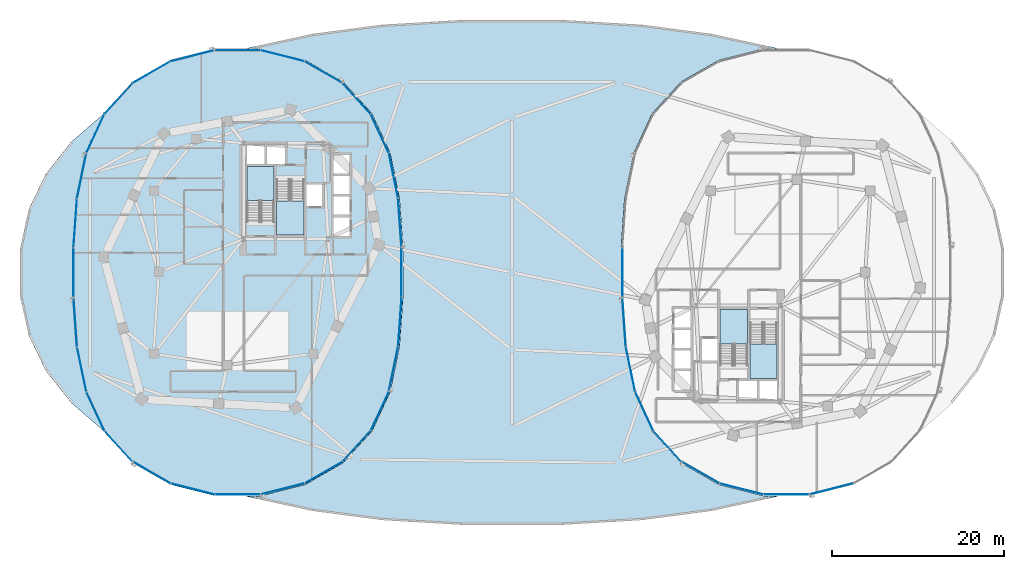
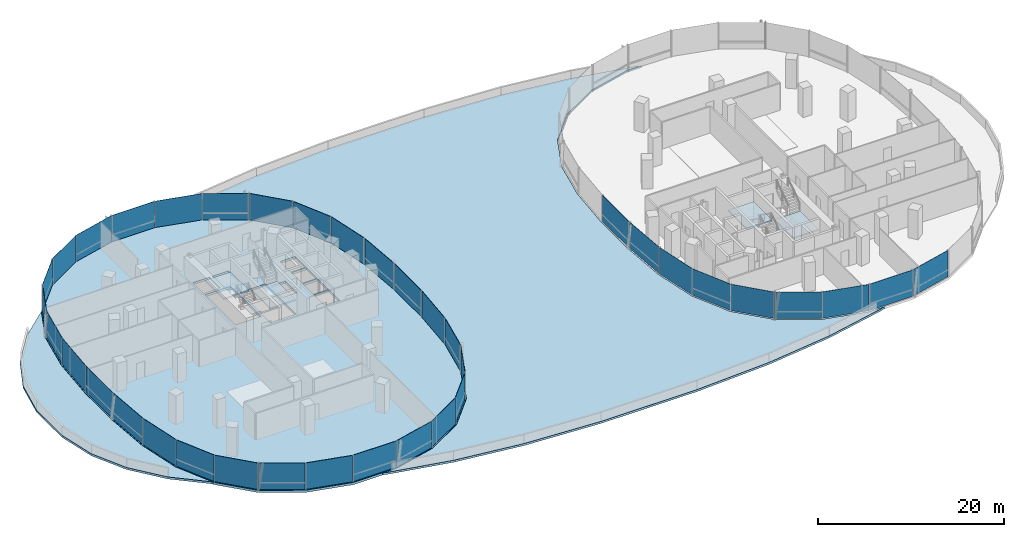
# One storey, part 16 of 28: 37 plates, 7 slabs, 11 elements without a shape of their own.
"""IFC4 building model written with IfcOpenShell, lengths in metres."""

from ifc_helpers import new_model, si_unit, direction, frame, origin, origin_2d, place, context, subcontext, project, spatial, polyline, rectangle, outline, extrude, material, layer, layer_set, type_object, element, aggregate, save


model = new_model("IFC4")

# Units and contexts
model_context = context("Model", 3, precision=1e-05, world=origin(), true_north=direction((0.0, 1.0)))
body_context = subcontext(model_context, "Body", "Model", "MODEL_VIEW")
ifc_project = project(units=[si_unit("LENGTHUNIT", "METRE"), si_unit("AREAUNIT", "SQUARE_METRE"), si_unit("VOLUMEUNIT", "CUBIC_METRE"), si_unit("PLANEANGLEUNIT", "RADIAN"), si_unit("MASSUNIT", "GRAM", prefix="KILO"), si_unit("THERMODYNAMICTEMPERATUREUNIT", "KELVIN"), si_unit("POWERUNIT", "WATT")], contexts=[model_context])

# Site, building, storey
site_placement = place(None, origin())
site = spatial("IfcSite", under=ifc_project, at=site_placement, CompositionType="ELEMENT")
building_placement = place(site_placement, origin())
building = spatial("IfcBuilding", under=site, at=building_placement, Name="Cundina Bronze Exchange", CompositionType="ELEMENT")
storey_placement = place(building_placement, frame((0.0, 0.0, 24.0)))
storey = spatial("IfcBuildingStorey", under=building, at=storey_placement, Name="L05", CompositionType="ELEMENT", Elevation=24.0)

# Curtain wall, plates
ifc_material_1 = material(Name="Anodised Bronze Aluminium 6063-T6", Category="aluminium")
curtain_wall_type = type_object("IfcCurtainWallType", Name="CWS-TRD-LOW", PredefinedType="NOTDEFINED", material=ifc_material_1)
curtain_wall_1_placement = place(storey_placement, origin())
curtain_wall_1 = element("IfcCurtainWall", 1, at=curtain_wall_1_placement, inside=storey, type_object=curtain_wall_type, Name="L05 CW-02 Curtain Wall Run CWR-L05-W1", PredefinedType="NOTDEFINED")
ifc_material_2 = material(Name="Heat-Strengthened Solar-Control Bronze Safety Glass 28mm", Category="glass")
ifc_layer_1 = layer(ifc_material_2, 0.028076171875, Name="Heat-Strengthened Solar-Control Bronze Safety Glass 28mm", Category="glass")
ifc_layer_set_1 = layer_set([ifc_layer_1], Name="Heat-Strengthened Solar-Control Bronze Safety Glass 28mm")
plate_type_1 = type_object("IfcPlateType", Name="PLT-GLZ-VIS28", PredefinedType="CURTAIN_PANEL", material=ifc_layer_set_1)
plate_1_placement = place(storey_placement, frame((-13.0732421875, 5.783935546875, 0.02001953125), z_axis=(0.0, 0.0, 1.0), x_axis=(-0.070278787473, 0.997527389113, 0.0)))
plate_1 = element("IfcPlate", 2, at=plate_1_placement, type_object=plate_type_1, Name="CW-02 Glazed Panel 1", PredefinedType="CURTAIN_PANEL", context=body_context, shape_type="SweptSolid", body=[
    extrude(rectangle(XDim=5.644287109375, YDim=0.028076171875, at=origin_2d()), origin(), (0.0, 0.0, 1.0), 3.4599609375),
])
plate_2_placement = place(storey_placement, frame((-13.81591796875, 11.269775390625, 0.02001953125), z_axis=(0.0, 0.0, 1.0), x_axis=(-0.201419845156, 0.979505000486, 0.0)))
plate_2 = element("IfcPlate", 3, at=plate_2_placement, type_object=plate_type_1, Name="CW-02 Glazed Panel 2", PredefinedType="CURTAIN_PANEL", context=body_context, shape_type="SweptSolid", body=[
    extrude(rectangle(XDim=5.306640625, YDim=0.028076171875, at=origin_2d()), origin(), (0.0, 0.0, 1.0), 3.4599609375),
])
plate_3_placement = place(storey_placement, frame((-15.413818359375, 16.177734375, 0.02001953125), z_axis=(0.0, 0.0, 1.0), x_axis=(-0.42084583328, 0.907132175932, 0.0)))
plate_3 = element("IfcPlate", 4, at=plate_3_placement, type_object=plate_type_1, Name="CW-02 Glazed Panel 3", PredefinedType="CURTAIN_PANEL", context=body_context, shape_type="SweptSolid", body=[
    extrude(rectangle(XDim=4.966552734375, YDim=0.028076171875, at=origin_2d()), origin(), (0.0, 0.0, 1.0), 3.4599609375),
])
plate_4_placement = place(storey_placement, frame((-18.1259765625, 20.267333984375, 0.02001953125), z_axis=(0.0, 0.0, 1.0), x_axis=(-0.674276610219, 0.73847887777, 0.0)))
plate_4 = element("IfcPlate", 5, at=plate_4_placement, type_object=plate_type_1, Name="CW-02 Glazed Panel 4", PredefinedType="CURTAIN_PANEL", context=body_context, shape_type="SweptSolid", body=[
    extrude(rectangle(XDim=4.86328125, YDim=0.028076171875, at=origin_2d()), origin(), (0.0, 0.0, 1.0), 3.4599609375),
])
plate_5_placement = place(storey_placement, frame((-26.744384765625, 25.256591796875, 0.02001953125), z_axis=(0.0, 0.0, 1.0), x_axis=(-0.969488149345, 0.245138182011, 0.0)))
plate_5 = element("IfcPlate", 6, at=plate_5_placement, type_object=plate_type_1, Name="CW-02 Glazed Panel 6", PredefinedType="CURTAIN_PANEL", context=body_context, shape_type="SweptSolid", body=[
    extrude(rectangle(XDim=5.2333984375, YDim=0.028076171875, at=origin_2d()), origin(), (0.0, 0.0, 1.0), 3.4599609375),
])
plate_6_placement = place(storey_placement, frame((-32.0, 25.905029296875, 0.02001953125), z_axis=(0.0, 0.0, 1.0), x_axis=(-1.0, 0.0, 0.0)))
plate_6 = element("IfcPlate", 7, at=plate_6_placement, type_object=plate_type_1, Name="CW-02 Glazed Panel 7", PredefinedType="CURTAIN_PANEL", context=body_context, shape_type="SweptSolid", body=[
    extrude(rectangle(XDim=5.323974609375, YDim=0.028076171875, at=origin_2d()), origin(), (0.0, 0.0, 1.0), 3.4599609375),
])

curtain_wall_2_placement = place(storey_placement, origin())
curtain_wall_2 = element("IfcCurtainWall", 8, at=curtain_wall_2_placement, inside=storey, type_object=curtain_wall_type, Name="L05 CW-02 Curtain Wall Run CWR-L05-W2", PredefinedType="NOTDEFINED")
plate_7_placement = place(storey_placement, frame((-37.255615234375, 25.256591796875, 0.02001953125), z_axis=(0.0, 0.0, 1.0), x_axis=(-0.969488149345, -0.245138182011, 0.0)))
plate_7 = element("IfcPlate", 9, at=plate_7_placement, type_object=plate_type_1, Name="CW-02 Glazed Panel 1", PredefinedType="CURTAIN_PANEL", context=body_context, shape_type="SweptSolid", body=[
    extrude(rectangle(XDim=5.2333984375, YDim=0.028076171875, at=origin_2d()), origin(), (0.0, 0.0, 1.0), 3.4599609375),
])
plate_8_placement = place(storey_placement, frame((-42.019287109375, 23.34423828125, 0.02001953125), z_axis=(0.0, 0.0, 1.0), x_axis=(-0.867105478933, -0.498124571171, 0.0)))
plate_8 = element("IfcPlate", 10, at=plate_8_placement, type_object=plate_type_1, Name="CW-02 Glazed Panel 2", PredefinedType="CURTAIN_PANEL", context=body_context, shape_type="SweptSolid", body=[
    extrude(rectangle(XDim=5.021240234375, YDim=0.028076171875, at=origin_2d()), origin(), (0.0, 0.0, 1.0), 3.4599609375),
])
plate_9_placement = place(storey_placement, frame((-45.8740234375, 20.267333984375, 0.02001953125), z_axis=(0.0, 0.0, 1.0), x_axis=(-0.674276610219, -0.73847887777, 0.0)))
plate_9 = element("IfcPlate", 11, at=plate_9_placement, type_object=plate_type_1, Name="CW-02 Glazed Panel 3", PredefinedType="CURTAIN_PANEL", context=body_context, shape_type="SweptSolid", body=[
    extrude(rectangle(XDim=4.86328125, YDim=0.028076171875, at=origin_2d()), origin(), (0.0, 0.0, 1.0), 3.4599609375),
])
plate_10_placement = place(storey_placement, frame((-50.18408203125, 11.269775390625, 0.02001953125), z_axis=(0.0, 0.0, 1.0), x_axis=(-0.201419845156, -0.979505000486, 0.0)))
plate_10 = element("IfcPlate", 12, at=plate_10_placement, type_object=plate_type_1, Name="CW-02 Glazed Panel 5", PredefinedType="CURTAIN_PANEL", context=body_context, shape_type="SweptSolid", body=[
    extrude(rectangle(XDim=5.306640625, YDim=0.028076171875, at=origin_2d()), origin(), (0.0, 0.0, 1.0), 3.4599609375),
])
plate_11_placement = place(storey_placement, frame((-50.9267578125, 5.783935546875, 0.02001953125), z_axis=(0.0, 0.0, 1.0), x_axis=(-0.070278787473, -0.997527389113, 0.0)))
plate_11 = element("IfcPlate", 13, at=plate_11_placement, type_object=plate_type_1, Name="CW-02 Glazed Panel 6", PredefinedType="CURTAIN_PANEL", context=body_context, shape_type="SweptSolid", body=[
    extrude(rectangle(XDim=5.644287109375, YDim=0.028076171875, at=origin_2d()), origin(), (0.0, 0.0, 1.0), 3.4599609375),
])
plate_12_placement = place(storey_placement, frame((-51.1279296875, 0.0, 0.02001953125), z_axis=(0.0, 0.0, 1.0), x_axis=(0.0, -1.0, 0.0)))
plate_12 = element("IfcPlate", 14, at=plate_12_placement, type_object=plate_type_1, Name="CW-02 Glazed Panel 7", PredefinedType="CURTAIN_PANEL", context=body_context, shape_type="SweptSolid", body=[
    extrude(rectangle(XDim=5.77587890625, YDim=0.028076171875, at=origin_2d()), origin(), (0.0, 0.0, 1.0), 3.4599609375),
])

curtain_wall_3_placement = place(storey_placement, origin())
curtain_wall_3 = element("IfcCurtainWall", 15, at=curtain_wall_3_placement, inside=storey, type_object=curtain_wall_type, Name="L05 CW-02 Curtain Wall Run CWR-L05-W3", PredefinedType="NOTDEFINED")
plate_13_placement = place(storey_placement, frame((-50.9267578125, -5.783935546875, 0.02001953125), z_axis=(0.0, 0.0, 1.0), x_axis=(0.070278787473, -0.997527389113, 0.0)))
plate_13 = element("IfcPlate", 16, at=plate_13_placement, type_object=plate_type_1, Name="CW-02 Glazed Panel 1", PredefinedType="CURTAIN_PANEL", context=body_context, shape_type="SweptSolid", body=[
    extrude(rectangle(XDim=5.644287109375, YDim=0.028076171875, at=origin_2d()), origin(), (0.0, 0.0, 1.0), 3.4599609375),
])
plate_14_placement = place(storey_placement, frame((-50.18408203125, -11.269775390625, 0.02001953125), z_axis=(0.0, 0.0, 1.0), x_axis=(0.201419845156, -0.979505000486, 0.0)))
plate_14 = element("IfcPlate", 17, at=plate_14_placement, type_object=plate_type_1, Name="CW-02 Glazed Panel 2", PredefinedType="CURTAIN_PANEL", context=body_context, shape_type="SweptSolid", body=[
    extrude(rectangle(XDim=5.306640625, YDim=0.028076171875, at=origin_2d()), origin(), (0.0, 0.0, 1.0), 3.4599609375),
])
plate_15_placement = place(storey_placement, frame((-45.8740234375, -20.267333984375, 0.02001953125), z_axis=(0.0, 0.0, 1.0), x_axis=(0.674276610219, -0.73847887777, 0.0)))
plate_15 = element("IfcPlate", 18, at=plate_15_placement, type_object=plate_type_1, Name="CW-02 Glazed Panel 4", PredefinedType="CURTAIN_PANEL", context=body_context, shape_type="SweptSolid", body=[
    extrude(rectangle(XDim=4.86328125, YDim=0.028076171875, at=origin_2d()), origin(), (0.0, 0.0, 1.0), 3.4599609375),
])
plate_16_placement = place(storey_placement, frame((-42.019287109375, -23.34423828125, 0.02001953125), z_axis=(0.0, 0.0, 1.0), x_axis=(0.867105478933, -0.498124571171, 0.0)))
plate_16 = element("IfcPlate", 19, at=plate_16_placement, type_object=plate_type_1, Name="CW-02 Glazed Panel 5", PredefinedType="CURTAIN_PANEL", context=body_context, shape_type="SweptSolid", body=[
    extrude(rectangle(XDim=5.021240234375, YDim=0.028076171875, at=origin_2d()), origin(), (0.0, 0.0, 1.0), 3.4599609375),
])
plate_17_placement = place(storey_placement, frame((-37.255615234375, -25.256591796875, 0.02001953125), z_axis=(0.0, 0.0, 1.0), x_axis=(0.969488149345, -0.245138182011, 0.0)))
plate_17 = element("IfcPlate", 20, at=plate_17_placement, type_object=plate_type_1, Name="CW-02 Glazed Panel 6", PredefinedType="CURTAIN_PANEL", context=body_context, shape_type="SweptSolid", body=[
    extrude(rectangle(XDim=5.2333984375, YDim=0.028076171875, at=origin_2d()), origin(), (0.0, 0.0, 1.0), 3.4599609375),
])
plate_18_placement = place(storey_placement, frame((-32.0, -25.905029296875, 0.02001953125), z_axis=(0.0, 0.0, 1.0), x_axis=(1.0, 0.0, 0.0)))
plate_18 = element("IfcPlate", 21, at=plate_18_placement, type_object=plate_type_1, Name="CW-02 Glazed Panel 7", PredefinedType="CURTAIN_PANEL", context=body_context, shape_type="SweptSolid", body=[
    extrude(rectangle(XDim=5.323974609375, YDim=0.028076171875, at=origin_2d()), origin(), (0.0, 0.0, 1.0), 3.4599609375),
])

curtain_wall_4_placement = place(storey_placement, origin())
curtain_wall_4 = element("IfcCurtainWall", 22, at=curtain_wall_4_placement, inside=storey, type_object=curtain_wall_type, Name="L05 CW-02 Curtain Wall Run CWR-L05-W4", PredefinedType="NOTDEFINED")
plate_19_placement = place(storey_placement, frame((-26.744384765625, -25.256591796875, 0.02001953125), z_axis=(0.0, 0.0, 1.0), x_axis=(0.969488149345, 0.245138182011, 0.0)))
plate_19 = element("IfcPlate", 23, at=plate_19_placement, type_object=plate_type_1, Name="CW-02 Glazed Panel 1", PredefinedType="CURTAIN_PANEL", context=body_context, shape_type="SweptSolid", body=[
    extrude(rectangle(XDim=5.2333984375, YDim=0.028076171875, at=origin_2d()), origin(), (0.0, 0.0, 1.0), 3.4599609375),
])
plate_20_placement = place(storey_placement, frame((-18.1259765625, -20.267333984375, 0.02001953125), z_axis=(0.0, 0.0, 1.0), x_axis=(0.674276610219, 0.73847887777, 0.0)))
plate_20 = element("IfcPlate", 24, at=plate_20_placement, type_object=plate_type_1, Name="CW-02 Glazed Panel 3", PredefinedType="CURTAIN_PANEL", context=body_context, shape_type="SweptSolid", body=[
    extrude(rectangle(XDim=4.86328125, YDim=0.028076171875, at=origin_2d()), origin(), (0.0, 0.0, 1.0), 3.4599609375),
])
plate_21_placement = place(storey_placement, frame((-15.413818359375, -16.177734375, 0.02001953125), z_axis=(0.0, 0.0, 1.0), x_axis=(0.42084583328, 0.907132175932, 0.0)))
plate_21 = element("IfcPlate", 25, at=plate_21_placement, type_object=plate_type_1, Name="CW-02 Glazed Panel 4", PredefinedType="CURTAIN_PANEL", context=body_context, shape_type="SweptSolid", body=[
    extrude(rectangle(XDim=4.966552734375, YDim=0.028076171875, at=origin_2d()), origin(), (0.0, 0.0, 1.0), 3.4599609375),
])
plate_22_placement = place(storey_placement, frame((-13.81591796875, -11.269775390625, 0.02001953125), z_axis=(0.0, 0.0, 1.0), x_axis=(0.201419845156, 0.979505000486, 0.0)))
plate_22 = element("IfcPlate", 26, at=plate_22_placement, type_object=plate_type_1, Name="CW-02 Glazed Panel 5", PredefinedType="CURTAIN_PANEL", context=body_context, shape_type="SweptSolid", body=[
    extrude(rectangle(XDim=5.306640625, YDim=0.028076171875, at=origin_2d()), origin(), (0.0, 0.0, 1.0), 3.4599609375),
])
plate_23_placement = place(storey_placement, frame((-13.0732421875, -5.783935546875, 0.02001953125), z_axis=(0.0, 0.0, 1.0), x_axis=(0.070278787473, 0.997527389113, 0.0)))
plate_23 = element("IfcPlate", 27, at=plate_23_placement, type_object=plate_type_1, Name="CW-02 Glazed Panel 6", PredefinedType="CURTAIN_PANEL", context=body_context, shape_type="SweptSolid", body=[
    extrude(rectangle(XDim=5.644287109375, YDim=0.028076171875, at=origin_2d()), origin(), (0.0, 0.0, 1.0), 3.4599609375),
])

# Curtain wall, plate
curtain_wall_5_placement = place(storey_placement, origin())
curtain_wall_5 = element("IfcCurtainWall", 28, at=curtain_wall_5_placement, inside=storey, type_object=curtain_wall_type, Name="L05 CW-02 Curtain Wall Run CWR-L05-E2", PredefinedType="NOTDEFINED")
plate_24_placement = place(storey_placement, frame((12.8720703125, 0.0, 0.02001953125), z_axis=(0.0, 0.0, 1.0), x_axis=(0.0, -1.0, 0.0)))
plate_24 = element("IfcPlate", 29, at=plate_24_placement, type_object=plate_type_1, Name="CW-02 Glazed Panel 7", PredefinedType="CURTAIN_PANEL", context=body_context, shape_type="SweptSolid", body=[
    extrude(rectangle(XDim=5.77587890625, YDim=0.028076171875, at=origin_2d()), origin(), (0.0, 0.0, 1.0), 3.4599609375),
])
aggregate(curtain_wall_5, [plate_24])

# Curtain wall, plates
curtain_wall_6_placement = place(storey_placement, origin())
curtain_wall_6 = element("IfcCurtainWall", 30, at=curtain_wall_6_placement, inside=storey, type_object=curtain_wall_type, Name="L05 CW-02 Curtain Wall Run CWR-L05-E3", PredefinedType="NOTDEFINED")
plate_25_placement = place(storey_placement, frame((13.0732421875, -5.783935546875, 0.02001953125), z_axis=(0.0, 0.0, 1.0), x_axis=(0.070278787473, -0.997527389113, 0.0)))
plate_25 = element("IfcPlate", 31, at=plate_25_placement, type_object=plate_type_1, Name="CW-02 Glazed Panel 1", PredefinedType="CURTAIN_PANEL", context=body_context, shape_type="SweptSolid", body=[
    extrude(rectangle(XDim=5.644287109375, YDim=0.028076171875, at=origin_2d()), origin(), (0.0, 0.0, 1.0), 3.4599609375),
])
plate_26_placement = place(storey_placement, frame((13.81591796875, -11.269775390625, 0.02001953125), z_axis=(0.0, 0.0, 1.0), x_axis=(0.201419845156, -0.979505000486, 0.0)))
plate_26 = element("IfcPlate", 32, at=plate_26_placement, type_object=plate_type_1, Name="CW-02 Glazed Panel 2", PredefinedType="CURTAIN_PANEL", context=body_context, shape_type="SweptSolid", body=[
    extrude(rectangle(XDim=5.306640625, YDim=0.028076171875, at=origin_2d()), origin(), (0.0, 0.0, 1.0), 3.4599609375),
])
plate_27_placement = place(storey_placement, frame((18.1259765625, -20.267333984375, 0.02001953125), z_axis=(0.0, 0.0, 1.0), x_axis=(0.674276610219, -0.73847887777, 0.0)))
plate_27 = element("IfcPlate", 33, at=plate_27_placement, type_object=plate_type_1, Name="CW-02 Glazed Panel 4", PredefinedType="CURTAIN_PANEL", context=body_context, shape_type="SweptSolid", body=[
    extrude(rectangle(XDim=4.86328125, YDim=0.028076171875, at=origin_2d()), origin(), (0.0, 0.0, 1.0), 3.4599609375),
])
plate_28_placement = place(storey_placement, frame((21.980712890625, -23.34423828125, 0.02001953125), z_axis=(0.0, 0.0, 1.0), x_axis=(0.867105478933, -0.498124571171, 0.0)))
plate_28 = element("IfcPlate", 34, at=plate_28_placement, type_object=plate_type_1, Name="CW-02 Glazed Panel 5", PredefinedType="CURTAIN_PANEL", context=body_context, shape_type="SweptSolid", body=[
    extrude(rectangle(XDim=5.021240234375, YDim=0.028076171875, at=origin_2d()), origin(), (0.0, 0.0, 1.0), 3.4599609375),
])
plate_29_placement = place(storey_placement, frame((26.744384765625, -25.256591796875, 0.02001953125), z_axis=(0.0, 0.0, 1.0), x_axis=(0.969488149345, -0.245138182011, 0.0)))
plate_29 = element("IfcPlate", 35, at=plate_29_placement, type_object=plate_type_1, Name="CW-02 Glazed Panel 6", PredefinedType="CURTAIN_PANEL", context=body_context, shape_type="SweptSolid", body=[
    extrude(rectangle(XDim=5.2333984375, YDim=0.028076171875, at=origin_2d()), origin(), (0.0, 0.0, 1.0), 3.4599609375),
])
plate_30_placement = place(storey_placement, frame((32.0, -25.905029296875, 0.02001953125), z_axis=(0.0, 0.0, 1.0), x_axis=(1.0, 0.0, 0.0)))
plate_30 = element("IfcPlate", 36, at=plate_30_placement, type_object=plate_type_1, Name="CW-02 Glazed Panel 7", PredefinedType="CURTAIN_PANEL", context=body_context, shape_type="SweptSolid", body=[
    extrude(rectangle(XDim=5.323974609375, YDim=0.028076171875, at=origin_2d()), origin(), (0.0, 0.0, 1.0), 3.4599609375),
])

# Curtain wall, plate
curtain_wall_7_placement = place(storey_placement, origin())
curtain_wall_7 = element("IfcCurtainWall", 37, at=curtain_wall_7_placement, inside=storey, type_object=curtain_wall_type, Name="L05 CW-02 Curtain Wall Run CWR-L05-E4", PredefinedType="NOTDEFINED")
plate_31_placement = place(storey_placement, frame((37.255615234375, -25.256591796875, 0.02001953125), z_axis=(0.0, 0.0, 1.0), x_axis=(0.969488149345, 0.245138182011, 0.0)))
plate_31 = element("IfcPlate", 38, at=plate_31_placement, type_object=plate_type_1, Name="CW-02 Glazed Panel 1", PredefinedType="CURTAIN_PANEL", context=body_context, shape_type="SweptSolid", body=[
    extrude(rectangle(XDim=5.2333984375, YDim=0.028076171875, at=origin_2d()), origin(), (0.0, 0.0, 1.0), 3.4599609375),
])
aggregate(curtain_wall_7, [plate_31])

# Plate
ifc_material_3 = material(Name="Dark Bronze Spandrel Glass Panel 32mm", Category="glass")
ifc_layer_2 = layer(ifc_material_3, 0.031982421875, Name="Dark Bronze Spandrel Glass Panel 32mm", Category="glass")
ifc_layer_set_2 = layer_set([ifc_layer_2], Name="Dark Bronze Spandrel Glass Panel 32mm")
plate_type_2 = type_object("IfcPlateType", Name="PLT-SPN-BRZ32", PredefinedType="CURTAIN_PANEL", material=ifc_layer_set_2)
plate_32_placement = place(storey_placement, frame((-21.980712890625, 23.34423828125, 0.02001953125), z_axis=(0.0, 0.0, 1.0), x_axis=(-0.867105478933, 0.498124571171, 0.0)))
plate_32 = element("IfcPlate", 39, at=plate_32_placement, type_object=plate_type_2, Name="CW-02 Glazed Panel 5", PredefinedType="CURTAIN_PANEL", context=body_context, shape_type="SweptSolid", body=[
    extrude(rectangle(XDim=5.021240234375, YDim=0.031982421875, at=origin_2d()), origin(), (0.0, 0.0, 1.0), 3.4599609375),
])

aggregate(curtain_wall_1, [plate_1, plate_2, plate_3, plate_4, plate_32, plate_5, plate_6])

plate_33_placement = place(storey_placement, frame((-48.586181640625, 16.177734375, 0.02001953125), z_axis=(0.0, 0.0, 1.0), x_axis=(-0.42084583328, -0.907132175932, 0.0)))
plate_33 = element("IfcPlate", 40, at=plate_33_placement, type_object=plate_type_2, Name="CW-02 Glazed Panel 4", PredefinedType="CURTAIN_PANEL", context=body_context, shape_type="SweptSolid", body=[
    extrude(rectangle(XDim=4.966552734375, YDim=0.031982421875, at=origin_2d()), origin(), (0.0, 0.0, 1.0), 3.4599609375),
])

aggregate(curtain_wall_2, [plate_7, plate_8, plate_9, plate_33, plate_10, plate_11, plate_12])

plate_34_placement = place(storey_placement, frame((-48.586181640625, -16.177734375, 0.02001953125), z_axis=(0.0, 0.0, 1.0), x_axis=(0.42084583328, -0.907132175932, 0.0)))
plate_34 = element("IfcPlate", 41, at=plate_34_placement, type_object=plate_type_2, Name="CW-02 Glazed Panel 3", PredefinedType="CURTAIN_PANEL", context=body_context, shape_type="SweptSolid", body=[
    extrude(rectangle(XDim=4.966552734375, YDim=0.031982421875, at=origin_2d()), origin(), (0.0, 0.0, 1.0), 3.4599609375),
])

aggregate(curtain_wall_3, [plate_13, plate_14, plate_34, plate_15, plate_16, plate_17, plate_18])

plate_35_placement = place(storey_placement, frame((-21.980712890625, -23.34423828125, 0.02001953125), z_axis=(0.0, 0.0, 1.0), x_axis=(0.867105478933, 0.498124571171, 0.0)))
plate_35 = element("IfcPlate", 42, at=plate_35_placement, type_object=plate_type_2, Name="CW-02 Glazed Panel 2", PredefinedType="CURTAIN_PANEL", context=body_context, shape_type="SweptSolid", body=[
    extrude(rectangle(XDim=5.021240234375, YDim=0.031982421875, at=origin_2d()), origin(), (0.0, 0.0, 1.0), 3.4599609375),
])

plate_36_placement = place(storey_placement, frame((-12.8720703125, 0.0, 0.02001953125), z_axis=(0.0, 0.0, 1.0), x_axis=(0.0, 1.0, 0.0)))
plate_36 = element("IfcPlate", 43, at=plate_36_placement, type_object=plate_type_2, Name="CW-02 Glazed Panel 7", PredefinedType="CURTAIN_PANEL", context=body_context, shape_type="SweptSolid", body=[
    extrude(rectangle(XDim=5.77587890625, YDim=0.031982421875, at=origin_2d()), origin(), (0.0, 0.0, 1.0), 3.4599609375),
])

aggregate(curtain_wall_4, [plate_19, plate_35, plate_20, plate_21, plate_22, plate_23, plate_36])

plate_37_placement = place(storey_placement, frame((15.413818359375, -16.177734375, 0.02001953125), z_axis=(0.0, 0.0, 1.0), x_axis=(0.42084583328, -0.907132175932, 0.0)))
plate_37 = element("IfcPlate", 44, at=plate_37_placement, type_object=plate_type_2, Name="CW-02 Glazed Panel 3", PredefinedType="CURTAIN_PANEL", context=body_context, shape_type="SweptSolid", body=[
    extrude(rectangle(XDim=4.966552734375, YDim=0.031982421875, at=origin_2d()), origin(), (0.0, 0.0, 1.0), 3.4599609375),
])

aggregate(curtain_wall_6, [plate_25, plate_26, plate_37, plate_27, plate_28, plate_29, plate_30])

# Stair, slab
ifc_material_4 = material(Name="Concrete C40/50", Category="concrete")
stair_type = type_object("IfcStairType", Name="STR-TRD-380", PredefinedType="HALF_TURN_STAIR", material=ifc_material_4)
stair_1_placement = place(storey_placement, origin())
stair_1 = element("IfcStair", 45, at=stair_1_placement, inside=storey, type_object=stair_type, Name="L05 Smokeproof Exit Stair W1", PredefinedType="HALF_TURN_STAIR")
ifc_layer_3 = layer(ifc_material_4, 0.199951171875, Name="Concrete C40/50", Category="concrete")
ifc_layer_set_3 = layer_set([ifc_layer_3], Name="Concrete C40/50")
slab_type_1 = type_object("IfcSlabType", Name="SLB-LND-200", PredefinedType="LANDING", material=ifc_layer_set_3)
slab_1_placement = place(storey_placement, frame((0.0, 0.0, 1.699951171875)))
slab_1 = element("IfcSlab", 46, at=slab_1_placement, type_object=slab_type_1, Name="ST-W1 landing 1", PredefinedType="LANDING", context=body_context, shape_type="SweptSolid", body=[
    extrude(outline(polyline([(-27.739990234375, 8.3701171875), (-27.739990234375, 12.35009765625), (-30.89990234375, 12.35009765625), (-30.89990234375, 8.3701171875), (-27.739990234375, 8.3701171875)])), origin(), (0.0, 0.0, 1.0), 0.199951171875),
])
aggregate(stair_1, [slab_1])

stair_2_placement = place(storey_placement, origin())
stair_2 = element("IfcStair", 47, at=stair_2_placement, inside=storey, type_object=stair_type, Name="L05 Smokeproof Exit Stair W2", PredefinedType="HALF_TURN_STAIR")
slab_2_placement = place(storey_placement, frame((0.0, 0.0, 1.699951171875)))
slab_2 = element("IfcSlab", 48, at=slab_2_placement, type_object=slab_type_1, Name="ST-W2 landing 1", PredefinedType="LANDING", context=body_context, shape_type="SweptSolid", body=[
    extrude(outline(polyline([(-27.43994140625, 8.330078125), (-27.43994140625, 4.35009765625), (-24.280029296875, 4.35009765625), (-24.280029296875, 8.330078125), (-27.43994140625, 8.330078125)])), origin(), (0.0, 0.0, 1.0), 0.199951171875),
])
aggregate(stair_2, [slab_2])

stair_3_placement = place(storey_placement, origin())
stair_3 = element("IfcStair", 49, at=stair_3_placement, inside=storey, type_object=stair_type, Name="L05 Smokeproof Exit Stair E1", PredefinedType="HALF_TURN_STAIR")
slab_3_placement = place(storey_placement, frame((0.0, 0.0, 1.699951171875)))
slab_3 = element("IfcSlab", 50, at=slab_3_placement, type_object=slab_type_1, Name="ST-E1 landing 1", PredefinedType="LANDING", context=body_context, shape_type="SweptSolid", body=[
    extrude(outline(polyline([(27.739990234375, -8.3701171875), (27.739990234375, -12.35009765625), (30.89990234375, -12.35009765625), (30.89990234375, -8.3701171875), (27.739990234375, -8.3701171875)])), origin(), (0.0, 0.0, 1.0), 0.199951171875),
])
aggregate(stair_3, [slab_3])

stair_4_placement = place(storey_placement, origin())
stair_4 = element("IfcStair", 51, at=stair_4_placement, inside=storey, type_object=stair_type, Name="L05 Smokeproof Exit Stair E2", PredefinedType="HALF_TURN_STAIR")
slab_4_placement = place(storey_placement, frame((0.0, 0.0, 1.699951171875)))
slab_4 = element("IfcSlab", 52, at=slab_4_placement, type_object=slab_type_1, Name="ST-E2 landing 1", PredefinedType="LANDING", context=body_context, shape_type="SweptSolid", body=[
    extrude(outline(polyline([(27.43994140625, -8.330078125), (27.43994140625, -4.35009765625), (24.280029296875, -4.35009765625), (24.280029296875, -8.330078125), (27.43994140625, -8.330078125)])), origin(), (0.0, 0.0, 1.0), 0.199951171875),
])
aggregate(stair_4, [slab_4])

# Slabs
ifc_material_5 = material(Name="Concrete C50/60", Category="concrete")
ifc_layer_4 = layer(ifc_material_5, 0.27001953125, Name="Concrete C50/60", Category="concrete")
ifc_layer_set_4 = layer_set([ifc_layer_4], Name="Concrete C50/60")
slab_type_2 = type_object("IfcSlabType", Name="SLB-ROOF-270", PredefinedType="ROOF", material=ifc_layer_set_4)
slab_5_placement = place(storey_placement, frame((0.0, 0.0, -0.27001953125)))
element("IfcSlab", 53, at=slab_5_placement, inside=storey, type_object=slab_type_2, Name="L05 Central Podium Roof Slab 1", PredefinedType="ROOF", context=body_context, shape_type="SweptSolid", body=[
    extrude(outline(polyline([(-30.5458984375, 26.23193359375), (-23.281005859375, 27.821044921875), (-15.180908203125, 28.89306640625), (-5.93603515625, 29.431884765625), (5.93603515625, 29.431884765625), (15.180908203125, 28.89306640625), (23.281005859375, 27.821044921875), (30.5458984375, 26.23193359375), (31.111083984375, 26.050048828125), (29.29296875, 26.050048828125), (29.291748046875, 26.0498046875), (29.29052734375, 26.0498046875), (29.289306640625, 26.049560546875), (24.12841796875, 24.744384765625), (24.126953125, 24.744140625), (24.125732421875, 24.74365234375), (24.12451171875, 24.742919921875), (19.6923828125, 22.197021484375), (19.691162109375, 22.1962890625), (19.68994140625, 22.1953125), (19.68896484375, 22.194091796875), (16.348876953125, 18.5361328125), (16.347900390625, 18.534912109375), (16.34716796875, 18.53369140625), (16.346435546875, 18.5322265625), (14.218505859375, 13.9453125), (14.2177734375, 13.943603515625), (14.21728515625, 13.94189453125), (13.13037109375, 8.656005859375), (13.1298828125, 8.654052734375), (12.72705078125, 2.93408203125), (12.72705078125, 2.93310546875), (12.72705078125, -2.93310546875), (12.72705078125, -2.93408203125), (13.1298828125, -8.654052734375), (13.13037109375, -8.656005859375), (14.21728515625, -13.94189453125), (14.2177734375, -13.943603515625), (14.218505859375, -13.9453125), (16.346435546875, -18.5322265625), (16.34716796875, -18.53369140625), (16.347900390625, -18.534912109375), (16.348876953125, -18.5361328125), (19.68896484375, -22.194091796875), (19.68994140625, -22.1953125), (19.691162109375, -22.1962890625), (19.6923828125, -22.197021484375), (24.12451171875, -24.742919921875), (24.125732421875, -24.74365234375), (24.126953125, -24.744140625), (24.12841796875, -24.744384765625), (29.289306640625, -26.049560546875), (29.29052734375, -26.0498046875), (29.291748046875, -26.0498046875), (29.29296875, -26.050048828125), (31.111083984375, -26.050048828125), (30.5458984375, -26.23193359375), (23.281005859375, -27.821044921875), (15.180908203125, -28.89306640625), (5.93603515625, -29.431884765625), (-5.93603515625, -29.431884765625), (-15.180908203125, -28.89306640625), (-23.281005859375, -27.821044921875), (-30.5458984375, -26.23193359375), (-31.111083984375, -26.050048828125), (-29.29296875, -26.050048828125), (-29.291748046875, -26.0498046875), (-29.29052734375, -26.0498046875), (-29.289306640625, -26.049560546875), (-24.12841796875, -24.744384765625), (-24.126953125, -24.744140625), (-24.125732421875, -24.74365234375), (-24.12451171875, -24.742919921875), (-19.6923828125, -22.197021484375), (-19.691162109375, -22.1962890625), (-19.68994140625, -22.1953125), (-19.68896484375, -22.194091796875), (-16.348876953125, -18.5361328125), (-16.347900390625, -18.534912109375), (-16.34716796875, -18.53369140625), (-16.346435546875, -18.5322265625), (-14.218505859375, -13.9453125), (-14.2177734375, -13.943603515625), (-14.21728515625, -13.94189453125), (-13.13037109375, -8.656005859375), (-13.1298828125, -8.654052734375), (-12.72705078125, -2.93408203125), (-12.72705078125, -2.93310546875), (-12.72705078125, 2.93310546875), (-12.72705078125, 2.93408203125), (-13.1298828125, 8.654052734375), (-13.13037109375, 8.656005859375), (-14.21728515625, 13.94189453125), (-14.2177734375, 13.943603515625), (-14.218505859375, 13.9453125), (-16.346435546875, 18.5322265625), (-16.34716796875, 18.53369140625), (-16.347900390625, 18.534912109375), (-16.348876953125, 18.5361328125), (-19.68896484375, 22.194091796875), (-19.68994140625, 22.1953125), (-19.691162109375, 22.1962890625), (-19.6923828125, 22.197021484375), (-24.12451171875, 24.742919921875), (-24.125732421875, 24.74365234375), (-24.126953125, 24.744140625), (-24.12841796875, 24.744384765625), (-29.289306640625, 26.049560546875), (-29.29052734375, 26.0498046875), (-29.291748046875, 26.0498046875), (-29.29296875, 26.050048828125), (-31.111083984375, 26.050048828125), (-30.5458984375, 26.23193359375)])), origin(), (0.0, 0.0, 1.0), 0.27001953125),
])
slab_6_placement = place(storey_placement, frame((0.0, 0.0, -0.27001953125)))
element("IfcSlab", 54, at=slab_6_placement, inside=storey, type_object=slab_type_2, Name="L05 Central Podium Roof Slab 3", PredefinedType="ROOF", context=body_context, shape_type="SweptSolid", body=[
    extrude(outline(polyline([(-51.39697265625, -15.217041015625), (-54.367919921875, -11.451904296875), (-56.367919921875, -7.321044921875), (-57.3740234375, -2.739990234375), (-57.3740234375, 2.739990234375), (-56.367919921875, 7.321044921875), (-54.367919921875, 11.451904296875), (-51.39697265625, 15.217041015625), (-47.707763671875, 18.41552734375), (-49.781494140625, 13.9453125), (-49.7822265625, 13.943603515625), (-49.78271484375, 13.94189453125), (-50.86962890625, 8.656005859375), (-50.8701171875, 8.654052734375), (-51.27294921875, 2.93408203125), (-51.27294921875, 2.93310546875), (-51.27294921875, -2.93310546875), (-51.27294921875, -2.93408203125), (-50.8701171875, -8.654052734375), (-50.86962890625, -8.656005859375), (-49.78271484375, -13.94189453125), (-49.7822265625, -13.943603515625), (-49.781494140625, -13.9453125), (-47.707763671875, -18.41552734375), (-51.39697265625, -15.217041015625)])), origin(), (0.0, 0.0, 1.0), 0.27001953125),
])
ifc_layer_5 = layer(ifc_material_5, 0.300048828125, Name="Concrete C50/60", Category="concrete")
ifc_layer_set_5 = layer_set([ifc_layer_5], Name="Concrete C50/60")
slab_type_3 = type_object("IfcSlabType", Name="SLB-TRD-300", PredefinedType="FLOOR", material=ifc_layer_set_5)
slab_7_placement = place(storey_placement, frame((0.0, 0.0, -0.300048828125)))
element("IfcSlab", 55, at=slab_7_placement, inside=storey, type_object=slab_type_3, Name="L05 Leg W Structural Floor Slab", PredefinedType="FLOOR", context=body_context, shape_type="SweptSolid", body=[
    extrude(outline(polyline([(-12.741943359375, 2.93310546875), (-13.14501953125, 8.653076171875), (-14.23193359375, 13.93896484375), (-16.360107421875, 18.52587890625), (-19.699951171875, 22.18408203125), (-24.132080078125, 24.72998046875), (-29.29296875, 26.034912109375), (-34.70703125, 26.034912109375), (-39.867919921875, 24.72998046875), (-44.300048828125, 22.18408203125), (-47.639892578125, 18.52587890625), (-49.76806640625, 13.93896484375), (-50.85498046875, 8.653076171875), (-51.258056640625, 2.93310546875), (-51.258056640625, -2.93310546875), (-50.85498046875, -8.653076171875), (-49.76806640625, -13.93896484375), (-47.639892578125, -18.52587890625), (-44.300048828125, -22.18408203125), (-39.867919921875, -24.72998046875), (-34.70703125, -26.034912109375), (-29.29296875, -26.034912109375), (-24.132080078125, -24.72998046875), (-19.699951171875, -22.18408203125), (-16.360107421875, -18.52587890625), (-14.23193359375, -13.93896484375), (-13.14501953125, -8.653076171875), (-12.741943359375, -2.93310546875), (-12.741943359375, 2.93310546875)]), holes=[polyline([(-27.739990234375, 5.85009765625), (-27.739990234375, 12.35009765625), (-30.89990234375, 12.35009765625), (-30.89990234375, 5.85009765625), (-27.739990234375, 5.85009765625)]), polyline([(-27.43994140625, 10.85009765625), (-27.43994140625, 4.35009765625), (-24.280029296875, 4.35009765625), (-24.280029296875, 10.85009765625), (-27.43994140625, 10.85009765625)]), polyline([(-23.97998046875, 10.25), (-22.179931640625, 10.25), (-22.179931640625, 7.75), (-23.97998046875, 7.75), (-23.97998046875, 10.25)]), polyline([(-30.89990234375, 14.949951171875), (-28.85009765625, 14.949951171875), (-28.85009765625, 12.64990234375), (-30.89990234375, 12.64990234375), (-30.89990234375, 14.949951171875)]), polyline([(-28.550048828125, 14.949951171875), (-26.5, 14.949951171875), (-26.5, 12.64990234375), (-28.550048828125, 12.64990234375), (-28.550048828125, 14.949951171875)]), polyline([(-20.800048828125, 13.699951171875), (-18.949951171875, 13.699951171875), (-18.949951171875, 11.449951171875), (-20.800048828125, 11.449951171875), (-20.800048828125, 13.699951171875)]), polyline([(-20.800048828125, 11.300048828125), (-18.949951171875, 11.300048828125), (-18.949951171875, 9.050048828125), (-20.800048828125, 9.050048828125), (-20.800048828125, 11.300048828125)]), polyline([(-20.800048828125, 8.89990234375), (-18.949951171875, 8.89990234375), (-18.949951171875, 6.64990234375), (-20.800048828125, 6.64990234375), (-20.800048828125, 8.89990234375)]), polyline([(-20.800048828125, 6.5), (-18.949951171875, 6.5), (-18.949951171875, 4.25), (-20.800048828125, 4.25), (-20.800048828125, 6.5)])]), origin(), (0.0, 0.0, 1.0), 0.300048828125),
])

save(model, "model.ifc")
